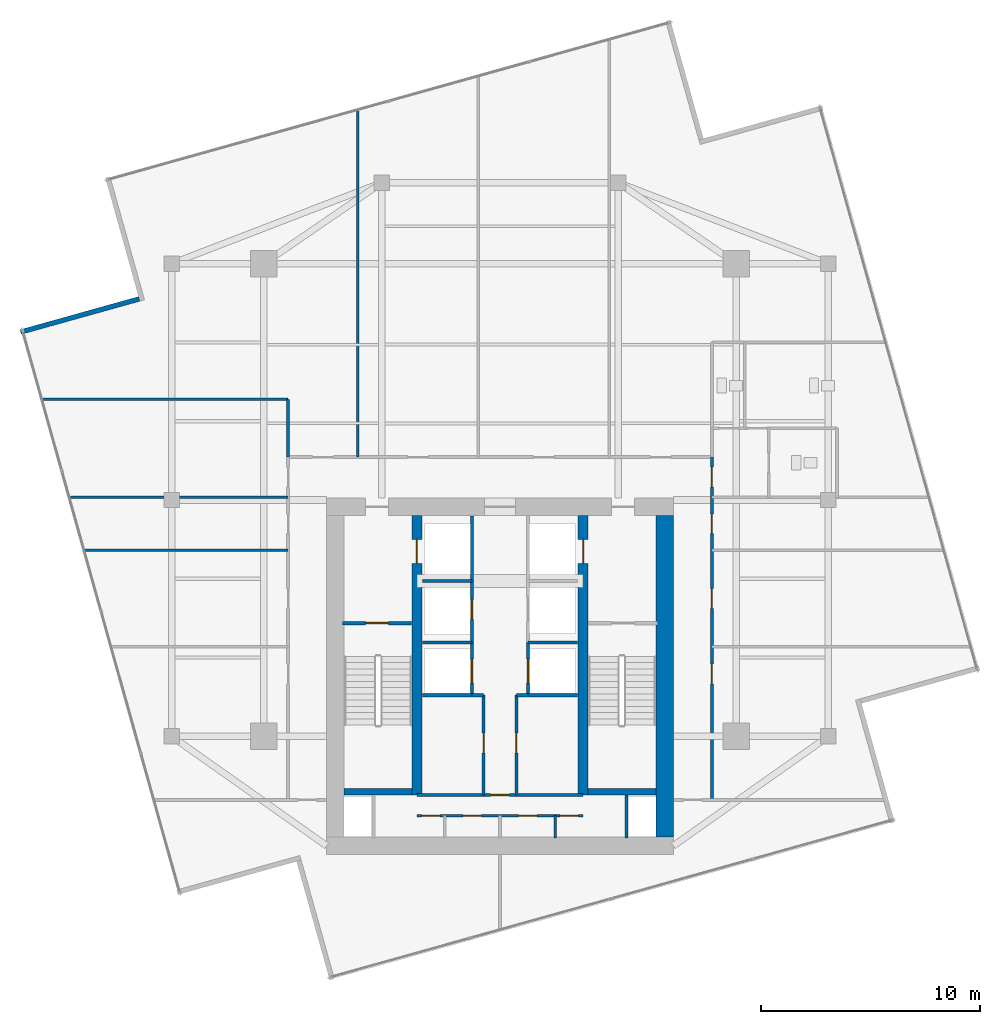
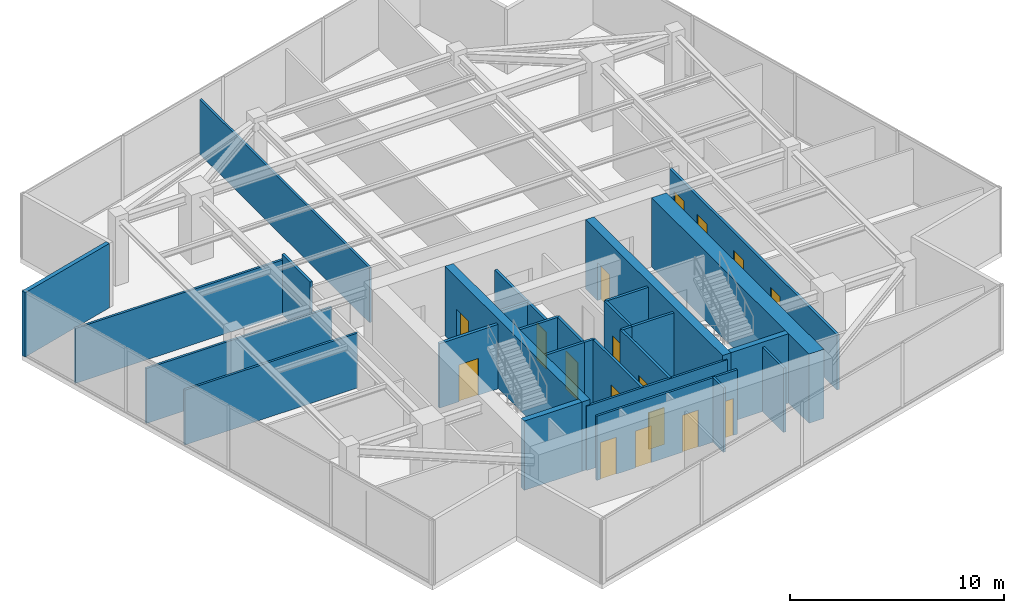
# One storey, part 17 of 21: 29 walls, 17 doors, 17 openings.
"""IFC4 building model written with IfcOpenShell, lengths in metres."""

from ifc_helpers import new_model, si_unit, direction, frame, frame_2d, origin, place, context, subcontext, project, spatial, rectangle, extrude, material, layer, layer_set, type_object, element, fill, save


model = new_model("IFC4")

# Units and contexts
model_context = context("Model", 3, precision=1e-05, world=origin(), true_north=direction((0.0, 1.0)))
body_context = subcontext(model_context, "Body", "Model", "MODEL_VIEW")
ifc_project = project(units=[si_unit("LENGTHUNIT", "METRE"), si_unit("AREAUNIT", "SQUARE_METRE"), si_unit("VOLUMEUNIT", "CUBIC_METRE"), si_unit("PLANEANGLEUNIT", "RADIAN"), si_unit("MASSUNIT", "GRAM", prefix="KILO")], contexts=[model_context])

# Site, building, storey
site_placement = place(None, origin())
site = spatial("IfcSite", under=ifc_project, at=site_placement, CompositionType="ELEMENT")
building_placement = place(site_placement, origin())
building = spatial("IfcBuilding", under=site, at=building_placement, Name="Krantzveldt Concourse Tower", CompositionType="ELEMENT")
storey_placement = place(building_placement, frame((0.0, 0.0, 347.449951171875)))
storey = spatial("IfcBuildingStorey", under=building, at=storey_placement, Name="L85", CompositionType="ELEMENT", Elevation=347.449951171875)

# Wall
ifc_material_1 = material(Name="Anodised aluminium 6063-T6", Category="aluminium")
ifc_layer_1 = layer(ifc_material_1, 0.219970703125, Name="Anodised aluminium 6063-T6", Category="aluminium")
ifc_layer_set_1 = layer_set([ifc_layer_1], Name="Anodised aluminium 6063-T6 (WL-EXT-NOTCH220)")
wall_type_1 = type_object("IfcWallType", Name="WL-EXT-NOTCH220", PredefinedType="ELEMENTEDWALL", material=ifc_layer_set_1)
wall_1_placement = place(storey_placement, frame((19.515625, 35.8896484375, 0.0), z_axis=(0.0, 0.0, 1.0), x_axis=(-0.963050070433, -0.269322412432, 0.0)))
element("IfcWall", 1, at=wall_1_placement, inside=storey, type_object=wall_type_1, Name="EW-L85-NCH03", PredefinedType="ELEMENTEDWALL", context=body_context, shape_type="SweptSolid", body=[
    extrude(rectangle(XDim=5.624755859375, YDim=0.219970703125, at=frame_2d((2.8125, 0.0))), origin(), (0.0, 0.0, 1.0), 3.670166015625),
])

# Wall, opening, door
ifc_material_2 = material(Name="Fire-rated gypsum plasterboard on steel stud", Category="steel")
ifc_layer_2 = layer(ifc_material_2, 0.1201171875, Name="Fire-rated gypsum plasterboard on steel stud", Category="steel")
ifc_layer_set_2 = layer_set([ifc_layer_2], Name="Fire-rated gypsum plasterboard on steel stud (WL-PART-120)")
wall_type_2 = type_object("IfcWallType", Name="WL-PART-120", PredefinedType="PARTITIONING", material=ifc_layer_set_2)
wall_2_placement = place(storey_placement, frame((32.2099609375, 13.219970703125, 0.0), z_axis=(0.0, 0.0, 1.0), x_axis=(1.0, 0.0, 0.0)))
wall_2 = element("IfcWall", 2, at=wall_2_placement, inside=storey, type_object=wall_type_2, Name="WP-L85-CS2H", PredefinedType="PARTITIONING", context=body_context, shape_type="SweptSolid", body=[
    extrude(rectangle(XDim=7.580078125, YDim=0.1201171875, at=frame_2d((3.7900390625, 0.0))), origin(), (0.0, 0.0, 1.0), 3.670166015625),
])
opening_1_placement = place(wall_2_placement, frame((3.364990234375, 0.0, 0.0)))
opening_1 = element("IfcOpeningElement", 3, at=opening_1_placement, cuts=wall_2, Name="Opening D-IN085", PredefinedType="OPENING", context=body_context, shape_type="SweptSolid", body=[
    extrude(rectangle(XDim=0.85009765625, YDim=2.10009765625, at=frame_2d((0.425048828125, 1.050048828125))), frame((0.0, 0.070068359375, 0.0), z_axis=(0.0, -1.0, 0.0), x_axis=(1.0, 0.0, 0.0)), (0.0, 0.0, 1.0), 0.14013671875),
])
ifc_material_3 = material(Name="Hardwood timber", Category="wood")
door_type_1 = type_object("IfcDoorType", Name="DR-INT-850", OperationType="SINGLE_SWING_LEFT", PredefinedType="DOOR", material=ifc_material_3)
door_1_placement = place(opening_1_placement, origin())
door_1 = element("IfcDoor", 4, at=door_1_placement, inside=storey, type_object=door_type_1, Name="DR-L85-LLBS", OperationType="SINGLE_SWING_RIGHT", OverallHeight=2.10009765625, OverallWidth=0.85009765625, PredefinedType="DOOR", context=body_context, shape_type="SweptSolid", body=[
    extrude(rectangle(XDim=0.85009765625, YDim=2.10009765625, at=frame_2d((0.425048828125, 1.050048828125))), frame((0.0, 0.02490234375, 0.0), z_axis=(0.0, -1.0, 0.0), x_axis=(1.0, 0.0, 0.0)), (0.0, 0.0, 1.0), 0.050048828125),
])
fill(opening_1, door_1)

# Wall, openings, doors
wall_3_placement = place(storey_placement, frame((32.2099609375, 12.280029296875, 0.0), z_axis=(0.0, 0.0, 1.0), x_axis=(1.0, 0.0, 0.0)))
wall_3 = element("IfcWall", 5, at=wall_3_placement, inside=storey, type_object=wall_type_2, Name="WP-L85-CSD-HM", PredefinedType="PARTITIONING", context=body_context, shape_type="SweptSolid", body=[
    extrude(rectangle(XDim=7.580078125, YDim=0.1201171875, at=frame_2d((3.7900390625, 0.0))), origin(), (0.0, 0.0, 1.0), 3.670166015625),
])
opening_2_placement = place(wall_3_placement, frame((0.205078125, 0.0, 0.0)))
opening_2 = element("IfcOpeningElement", 6, at=opening_2_placement, cuts=wall_3, Name="Opening D-IN085", PredefinedType="OPENING", context=body_context, shape_type="SweptSolid", body=[
    extrude(rectangle(XDim=0.85009765625, YDim=2.10009765625, at=frame_2d((0.425048828125, 1.050048828125))), frame((0.0, 0.070068359375, 0.0), z_axis=(0.0, -1.0, 0.0), x_axis=(1.0, 0.0, 0.0)), (0.0, 0.0, 1.0), 0.14013671875),
])
opening_3_placement = place(wall_3_placement, frame((2.094970703125, 0.0, 0.0)))
opening_3 = element("IfcOpeningElement", 7, at=opening_3_placement, cuts=wall_3, Name="Opening D-IN085", PredefinedType="OPENING", context=body_context, shape_type="SweptSolid", body=[
    extrude(rectangle(XDim=0.85009765625, YDim=2.10009765625, at=frame_2d((0.425048828125, 1.050048828125))), frame((0.0, 0.070068359375, 0.0), z_axis=(0.0, -1.0, 0.0), x_axis=(1.0, 0.0, 0.0)), (0.0, 0.0, 1.0), 0.14013671875),
])
opening_4_placement = place(wall_3_placement, frame((4.635009765625, 0.0, 0.0)))
opening_4 = element("IfcOpeningElement", 8, at=opening_4_placement, cuts=wall_3, Name="Opening D-IN085", PredefinedType="OPENING", context=body_context, shape_type="SweptSolid", body=[
    extrude(rectangle(XDim=0.85009765625, YDim=2.10009765625, at=frame_2d((0.425048828125, 1.050048828125))), frame((0.0, 0.070068359375, 0.0), z_axis=(0.0, -1.0, 0.0), x_axis=(1.0, 0.0, 0.0)), (0.0, 0.0, 1.0), 0.14013671875),
])
opening_5_placement = place(wall_3_placement, frame((6.52490234375, 0.0, 0.0)))
opening_5 = element("IfcOpeningElement", 9, at=opening_5_placement, cuts=wall_3, Name="Opening D-IN085", PredefinedType="OPENING", context=body_context, shape_type="SweptSolid", body=[
    extrude(rectangle(XDim=0.85009765625, YDim=2.10009765625, at=frame_2d((0.425048828125, 1.050048828125))), frame((0.0, 0.070068359375, 0.0), z_axis=(0.0, -1.0, 0.0), x_axis=(1.0, 0.0, 0.0)), (0.0, 0.0, 1.0), 0.14013671875),
])
door_2_placement = place(opening_2_placement, origin())
door_2 = element("IfcDoor", 10, at=door_2_placement, inside=storey, type_object=door_type_1, Name="DR-L85-CSD1", OperationType="SINGLE_SWING_RIGHT", OverallHeight=2.10009765625, OverallWidth=0.85009765625, PredefinedType="DOOR", context=body_context, shape_type="SweptSolid", body=[
    extrude(rectangle(XDim=0.85009765625, YDim=2.10009765625, at=frame_2d((0.425048828125, 1.050048828125))), frame((0.0, 0.02490234375, 0.0), z_axis=(0.0, -1.0, 0.0), x_axis=(1.0, 0.0, 0.0)), (0.0, 0.0, 1.0), 0.050048828125),
])
fill(opening_2, door_2)
door_3_placement = place(opening_3_placement, origin())
door_3 = element("IfcDoor", 11, at=door_3_placement, inside=storey, type_object=door_type_1, Name="DR-L85-CSD2", OperationType="SINGLE_SWING_RIGHT", OverallHeight=2.10009765625, OverallWidth=0.85009765625, PredefinedType="DOOR", context=body_context, shape_type="SweptSolid", body=[
    extrude(rectangle(XDim=0.85009765625, YDim=2.10009765625, at=frame_2d((0.425048828125, 1.050048828125))), frame((0.0, 0.02490234375, 0.0), z_axis=(0.0, -1.0, 0.0), x_axis=(1.0, 0.0, 0.0)), (0.0, 0.0, 1.0), 0.050048828125),
])
fill(opening_3, door_3)
door_4_placement = place(opening_4_placement, origin())
door_4 = element("IfcDoor", 12, at=door_4_placement, inside=storey, type_object=door_type_1, Name="DR-L85-CSD3", OperationType="SINGLE_SWING_RIGHT", OverallHeight=2.10009765625, OverallWidth=0.85009765625, PredefinedType="DOOR", context=body_context, shape_type="SweptSolid", body=[
    extrude(rectangle(XDim=0.85009765625, YDim=2.10009765625, at=frame_2d((0.425048828125, 1.050048828125))), frame((0.0, 0.02490234375, 0.0), z_axis=(0.0, -1.0, 0.0), x_axis=(1.0, 0.0, 0.0)), (0.0, 0.0, 1.0), 0.050048828125),
])
fill(opening_4, door_4)
door_5_placement = place(opening_5_placement, origin())
door_5 = element("IfcDoor", 13, at=door_5_placement, inside=storey, type_object=door_type_1, Name="DR-L85-CSD4", OperationType="SINGLE_SWING_RIGHT", OverallHeight=2.10009765625, OverallWidth=0.85009765625, PredefinedType="DOOR", context=body_context, shape_type="SweptSolid", body=[
    extrude(rectangle(XDim=0.85009765625, YDim=2.10009765625, at=frame_2d((0.425048828125, 1.050048828125))), frame((0.0, 0.02490234375, 0.0), z_axis=(0.0, -1.0, 0.0), x_axis=(1.0, 0.0, 0.0)), (0.0, 0.0, 1.0), 0.050048828125),
])
fill(opening_5, door_5)

# Walls
wall_4_placement = place(storey_placement, frame((38.530029296875, 11.25, 0.0), z_axis=(0.0, 0.0, 1.0), x_axis=(0.0, 1.0, 0.0)))
element("IfcWall", 14, at=wall_4_placement, inside=storey, type_object=wall_type_2, Name="WP-L85-CSD-V3", PredefinedType="PARTITIONING", context=body_context, shape_type="SweptSolid", body=[
    extrude(rectangle(XDim=1.030029296875, YDim=0.1201171875, at=frame_2d((0.51513671875, 0.0))), origin(), (0.0, 0.0, 1.0), 3.670166015625),
])
wall_5_placement = place(storey_placement, frame((16.330810546875, 26.820068359375, 0.0), z_axis=(0.0, 0.0, 1.0), x_axis=(1.0, 0.0, 0.0)))
element("IfcWall", 15, at=wall_5_placement, inside=storey, type_object=wall_type_2, Name="WP-L85-PNTS", PredefinedType="PARTITIONING", context=body_context, shape_type="SweptSolid", body=[
    extrude(rectangle(XDim=9.9892578125, YDim=0.1201171875, at=frame_2d((4.99462890625, 0.0))), origin(), (0.0, 0.0, 1.0), 3.130126953125),
])
wall_6_placement = place(storey_placement, frame((15.077880859375, 31.300048828125, 0.0), z_axis=(0.0, 0.0, 1.0), x_axis=(1.0, 0.0, 0.0)))
element("IfcWall", 16, at=wall_6_placement, inside=storey, type_object=wall_type_2, Name="WP-L85-PNTN", PredefinedType="PARTITIONING", context=body_context, shape_type="SweptSolid", body=[
    extrude(rectangle(XDim=11.2421875, YDim=0.1201171875, at=frame_2d((5.62109375, 0.0))), origin(), (0.0, 0.0, 1.0), 3.130126953125),
])
wall_7_placement = place(storey_placement, frame((29.5, 28.659912109375, 0.0), z_axis=(0.0, 0.0, 1.0), x_axis=(0.0, 1.0, 0.0)))
element("IfcWall", 17, at=wall_7_placement, inside=storey, type_object=wall_type_2, Name="WP-L85-ND1", PredefinedType="PARTITIONING", context=body_context, shape_type="SweptSolid", body=[
    extrude(rectangle(XDim=15.857666015625, YDim=0.1201171875, at=frame_2d((7.9287109375, 0.0))), origin(), (0.0, 0.0, 1.0), 3.130126953125),
])
wall_8_placement = place(storey_placement, frame((17.007568359375, 24.39990234375, 0.0), z_axis=(0.0, 0.0, 1.0), x_axis=(1.0, 0.0, 0.0)))
element("IfcWall", 18, at=wall_8_placement, inside=storey, type_object=wall_type_2, Name="WP-L85-WD2", PredefinedType="PARTITIONING", context=body_context, shape_type="SweptSolid", body=[
    extrude(rectangle(XDim=9.3125, YDim=0.1201171875, at=frame_2d((4.65625, 0.0))), origin(), (0.0, 0.0, 1.0), 3.130126953125),
])

# Wall, openings, doors
ifc_layer_3 = layer(ifc_material_2, 0.139892578125, Name="Fire-rated gypsum plasterboard on steel stud", Category="steel")
ifc_layer_set_3 = layer_set([ifc_layer_3], Name="Fire-rated gypsum plasterboard on steel stud (WL-PART-140)")
wall_type_3 = type_object("IfcWallType", Name="WL-PART-140", PredefinedType="PARTITIONING", material=ifc_layer_set_3)
wall_9_placement = place(storey_placement, frame((45.679931640625, 13.0, 0.0), z_axis=(0.0, 0.0, 1.0), x_axis=(0.0, 1.0, 0.0)))
wall_9 = element("IfcWall", 19, at=wall_9_placement, inside=storey, type_object=wall_type_3, Name="WP-L85-CEAST", PredefinedType="PARTITIONING", context=body_context, shape_type="SweptSolid", body=[
    extrude(rectangle(XDim=15.659912109375, YDim=0.139892578125, at=frame_2d((7.830078125, 0.0))), origin(), (0.0, 0.0, 1.0), 3.130126953125),
])
opening_6_placement = place(wall_9_placement, frame((14.300048828125, 0.0, 0.0)))
opening_6 = element("IfcOpeningElement", 20, at=opening_6_placement, cuts=wall_9, Name="Opening D-IN090", PredefinedType="OPENING", context=body_context, shape_type="SweptSolid", body=[
    extrude(rectangle(XDim=0.89990234375, YDim=2.10009765625, at=frame_2d((0.449951171875, 1.050048828125))), frame((0.0, 0.080078125, 0.0), z_axis=(0.0, -1.0, 0.0), x_axis=(1.0, 0.0, 0.0)), (0.0, 0.0, 1.0), 0.159912109375),
])
opening_7_placement = place(wall_9_placement, frame((5.300048828125, 0.0, 0.0)))
opening_7 = element("IfcOpeningElement", 21, at=opening_7_placement, cuts=wall_9, Name="Opening D-IN090", PredefinedType="OPENING", context=body_context, shape_type="SweptSolid", body=[
    extrude(rectangle(XDim=0.89990234375, YDim=2.10009765625, at=frame_2d((0.449951171875, 1.050048828125))), frame((0.0, 0.080078125, 0.0), z_axis=(0.0, -1.0, 0.0), x_axis=(1.0, 0.0, 0.0)), (0.0, 0.0, 1.0), 0.159912109375),
])
opening_8_placement = place(wall_9_placement, frame((8.75, 0.0, 0.0)))
opening_8 = element("IfcOpeningElement", 22, at=opening_8_placement, cuts=wall_9, Name="Opening D-IN090", PredefinedType="OPENING", context=body_context, shape_type="SweptSolid", body=[
    extrude(rectangle(XDim=0.89990234375, YDim=2.10009765625, at=frame_2d((0.449951171875, 1.050048828125))), frame((0.0, 0.080078125, 0.0), z_axis=(0.0, -1.0, 0.0), x_axis=(1.0, 0.0, 0.0)), (0.0, 0.0, 1.0), 0.159912109375),
])
opening_9_placement = place(wall_9_placement, frame((12.159912109375, 0.0, 0.0)))
opening_9 = element("IfcOpeningElement", 23, at=opening_9_placement, cuts=wall_9, Name="Opening D-IN090", PredefinedType="OPENING", context=body_context, shape_type="SweptSolid", body=[
    extrude(rectangle(XDim=0.89990234375, YDim=2.10009765625, at=frame_2d((0.449951171875, 1.050048828125))), frame((0.0, 0.080078125, 0.0), z_axis=(0.0, -1.0, 0.0), x_axis=(1.0, 0.0, 0.0)), (0.0, 0.0, 1.0), 0.159912109375),
])
door_type_2 = type_object("IfcDoorType", Name="DR-INT-900", OperationType="SINGLE_SWING_LEFT", PredefinedType="DOOR", material=ifc_material_3)
door_6_placement = place(opening_6_placement, origin())
door_6 = element("IfcDoor", 24, at=door_6_placement, inside=storey, type_object=door_type_2, Name="DR-L85-WCV", OperationType="SINGLE_SWING_RIGHT", OverallHeight=2.10009765625, OverallWidth=0.89990234375, PredefinedType="DOOR", context=body_context, shape_type="SweptSolid", body=[
    extrude(rectangle(XDim=0.89990234375, YDim=2.10009765625, at=frame_2d((0.449951171875, 1.050048828125))), frame((0.0, 0.02490234375, 0.0), z_axis=(0.0, -1.0, 0.0), x_axis=(1.0, 0.0, 0.0)), (0.0, 0.0, 1.0), 0.050048828125),
])
fill(opening_6, door_6)
door_7_placement = place(opening_7_placement, origin())
door_7 = element("IfcDoor", 25, at=door_7_placement, inside=storey, type_object=door_type_2, Name="DR-L85-ER1", OperationType="SINGLE_SWING_LEFT", OverallHeight=2.10009765625, OverallWidth=0.89990234375, PredefinedType="DOOR", context=body_context, shape_type="SweptSolid", body=[
    extrude(rectangle(XDim=0.89990234375, YDim=2.10009765625, at=frame_2d((0.449951171875, 1.050048828125))), frame((0.0, 0.02490234375, 0.0), z_axis=(0.0, -1.0, 0.0), x_axis=(1.0, 0.0, 0.0)), (0.0, 0.0, 1.0), 0.050048828125),
])
fill(opening_7, door_7)
door_8_placement = place(opening_8_placement, origin())
door_8 = element("IfcDoor", 26, at=door_8_placement, inside=storey, type_object=door_type_2, Name="DR-L85-ER2", OperationType="SINGLE_SWING_LEFT", OverallHeight=2.10009765625, OverallWidth=0.89990234375, PredefinedType="DOOR", context=body_context, shape_type="SweptSolid", body=[
    extrude(rectangle(XDim=0.89990234375, YDim=2.10009765625, at=frame_2d((0.449951171875, 1.050048828125))), frame((0.0, 0.02490234375, 0.0), z_axis=(0.0, -1.0, 0.0), x_axis=(1.0, 0.0, 0.0)), (0.0, 0.0, 1.0), 0.050048828125),
])
fill(opening_8, door_8)
door_9_placement = place(opening_9_placement, origin())
door_9 = element("IfcDoor", 27, at=door_9_placement, inside=storey, type_object=door_type_2, Name="DR-L85-ER3", OperationType="SINGLE_SWING_LEFT", OverallHeight=2.10009765625, OverallWidth=0.89990234375, PredefinedType="DOOR", context=body_context, shape_type="SweptSolid", body=[
    extrude(rectangle(XDim=0.89990234375, YDim=2.10009765625, at=frame_2d((0.449951171875, 1.050048828125))), frame((0.0, 0.02490234375, 0.0), z_axis=(0.0, -1.0, 0.0), x_axis=(1.0, 0.0, 0.0)), (0.0, 0.0, 1.0), 0.050048828125),
])
fill(opening_9, door_9)

# Wall
wall_10_placement = place(storey_placement, frame((26.320068359375, 28.659912109375, 0.0), z_axis=(0.0, 0.0, 1.0), x_axis=(0.0, 1.0, 0.0)))
element("IfcWall", 28, at=wall_10_placement, inside=storey, type_object=wall_type_3, Name="WP-L85-NWL", PredefinedType="PARTITIONING", context=body_context, shape_type="SweptSolid", body=[
    extrude(rectangle(XDim=2.64013671875, YDim=0.139892578125, at=frame_2d((1.320068359375, 0.0))), origin(), (0.0, 0.0, 1.0), 3.429931640625),
])

# Wall, opening, door
ifc_layer_4 = layer(ifc_material_2, 0.139892578125, Name="Fire-rated gypsum plasterboard on steel stud", Category="steel")
ifc_layer_set_4 = layer_set([ifc_layer_4], Name="Fire-rated gypsum plasterboard on steel stud (WL-PART-FR140)")
wall_type_4 = type_object("IfcWallType", Name="WL-PART-FR140", PredefinedType="PARTITIONING", material=ifc_layer_set_4)
wall_11_placement = place(storey_placement, frame((34.719970703125, 20.199951171875, 0.0), z_axis=(0.0, 0.0, 1.0), x_axis=(0.0, 1.0, 0.0)))
wall_11 = element("IfcWall", 29, at=wall_11_placement, inside=storey, type_object=wall_type_4, Name="WP-L85-SHNW", PredefinedType="PARTITIONING", context=body_context, shape_type="SweptSolid", body=[
    extrude(rectangle(XDim=5.780029296875, YDim=0.139892578125, at=frame_2d((2.89013671875, 0.0))), origin(), (0.0, 0.0, 1.0), 2.820068359375),
])
opening_10_placement = place(wall_11_placement, frame((1.050048828125, 0.0, 0.0)))
opening_10 = element("IfcOpeningElement", 30, at=opening_10_placement, cuts=wall_11, Name="Opening D-FD090", PredefinedType="OPENING", context=body_context, shape_type="SweptSolid", body=[
    extrude(rectangle(XDim=0.89990234375, YDim=2.10009765625, at=frame_2d((0.449951171875, 1.050048828125))), frame((0.0, 0.080078125, 0.0), z_axis=(0.0, -1.0, 0.0), x_axis=(1.0, 0.0, 0.0)), (0.0, 0.0, 1.0), 0.159912109375),
])
door_type_3 = type_object("IfcDoorType", Name="DR-FD60-900", OperationType="SINGLE_SWING_LEFT", PredefinedType="DOOR", material=ifc_material_3)
door_10_placement = place(opening_10_placement, origin())
door_10 = element("IfcDoor", 31, at=door_10_placement, inside=storey, type_object=door_type_3, Name="Electrical Riser Access Door L85", OperationType="SINGLE_SWING_LEFT", OverallHeight=2.10009765625, OverallWidth=0.89990234375, PredefinedType="DOOR", context=body_context, shape_type="SweptSolid", body=[
    extrude(rectangle(XDim=0.89990234375, YDim=2.10009765625, at=frame_2d((0.449951171875, 1.050048828125))), frame((0.0, 0.02490234375, 0.0), z_axis=(0.0, -1.0, 0.0), x_axis=(1.0, 0.0, 0.0)), (0.0, 0.0, 1.0), 0.050048828125),
])
fill(opening_10, door_10)

# Wall
wall_12_placement = place(storey_placement, frame((32.449951171875, 23.0, 0.0), z_axis=(0.0, 0.0, 1.0), x_axis=(1.0, 0.0, 0.0)))
element("IfcWall", 32, at=wall_12_placement, inside=storey, type_object=wall_type_4, Name="WP-L85-RISH", PredefinedType="PARTITIONING", context=body_context, shape_type="SweptSolid", body=[
    extrude(rectangle(XDim=2.27001953125, YDim=0.139892578125, at=frame_2d((1.135009765625, 0.0))), origin(), (0.0, 0.0, 1.0), 2.820068359375),
])

# Wall, opening, door
wall_13_placement = place(storey_placement, frame((34.719970703125, 17.780029296875, 0.0), z_axis=(0.0, 0.0, 1.0), x_axis=(0.0, 1.0, 0.0)))
wall_13 = element("IfcWall", 33, at=wall_13_placement, inside=storey, type_object=wall_type_4, Name="WP-L85-SHNW2", PredefinedType="PARTITIONING", context=body_context, shape_type="SweptSolid", body=[
    extrude(rectangle(XDim=2.419921875, YDim=0.139892578125, at=frame_2d((1.2099609375, 0.0))), origin(), (0.0, 0.0, 1.0), 3.670166015625),
])
opening_11_placement = place(wall_13_placement, frame((0.550048828125, 0.0, 0.0)))
opening_11 = element("IfcOpeningElement", 34, at=opening_11_placement, cuts=wall_13, Name="Opening LD", PredefinedType="OPENING", context=body_context, shape_type="SweptSolid", body=[
    extrude(rectangle(XDim=1.10009765625, YDim=2.14990234375, at=frame_2d((0.550048828125, 1.074951171875))), frame((0.0, 0.080078125, 0.0), z_axis=(0.0, -1.0, 0.0), x_axis=(1.0, 0.0, 0.0)), (0.0, 0.0, 1.0), 0.159912109375),
])
ifc_material_4 = material(Name="Stainless steel 316L", Category="steel")
door_type_4 = type_object("IfcDoorType", Name="DR-SLIDE-LD1100", OperationType="DOUBLE_DOOR_SLIDING", PredefinedType="DOOR", material=ifc_material_4)
door_11_placement = place(opening_11_placement, origin())
door_11 = element("IfcDoor", 35, at=door_11_placement, inside=storey, type_object=door_type_4, Name="LD-L85-PH1", OperationType="DOUBLE_DOOR_SLIDING", OverallHeight=2.14990234375, OverallWidth=1.10009765625, PredefinedType="DOOR", context=body_context, shape_type="SweptSolid", body=[
    extrude(rectangle(XDim=1.10009765625, YDim=2.14990234375, at=frame_2d((0.550048828125, 1.074951171875))), frame((0.0, 0.02490234375, 0.0), z_axis=(0.0, -1.0, 0.0), x_axis=(1.0, 0.0, 0.0)), (0.0, 0.0, 1.0), 0.050048828125),
])
fill(opening_11, door_11)

wall_14_placement = place(storey_placement, frame((37.280029296875, 17.780029296875, 0.0), z_axis=(0.0, 0.0, 1.0), x_axis=(0.0, 1.0, 0.0)))
wall_14 = element("IfcWall", 36, at=wall_14_placement, inside=storey, type_object=wall_type_4, Name="WP-L85-SHNE2", PredefinedType="PARTITIONING", context=body_context, shape_type="SweptSolid", body=[
    extrude(rectangle(XDim=2.419921875, YDim=0.139892578125, at=frame_2d((1.2099609375, 0.0))), origin(), (0.0, 0.0, 1.0), 3.670166015625),
])
opening_12_placement = place(wall_14_placement, frame((0.550048828125, 0.0, 0.0)))
opening_12 = element("IfcOpeningElement", 37, at=opening_12_placement, cuts=wall_14, Name="Opening LD", PredefinedType="OPENING", context=body_context, shape_type="SweptSolid", body=[
    extrude(rectangle(XDim=1.10009765625, YDim=2.14990234375, at=frame_2d((0.550048828125, 1.074951171875))), frame((0.0, 0.080078125, 0.0), z_axis=(0.0, -1.0, 0.0), x_axis=(1.0, 0.0, 0.0)), (0.0, 0.0, 1.0), 0.159912109375),
])
door_12_placement = place(opening_12_placement, origin())
door_12 = element("IfcDoor", 38, at=door_12_placement, inside=storey, type_object=door_type_4, Name="LD-L85-PH2", OperationType="DOUBLE_DOOR_SLIDING", OverallHeight=2.14990234375, OverallWidth=1.10009765625, PredefinedType="DOOR", context=body_context, shape_type="SweptSolid", body=[
    extrude(rectangle(XDim=1.10009765625, YDim=2.14990234375, at=frame_2d((0.550048828125, 1.074951171875))), frame((0.0, 0.02490234375, 0.0), z_axis=(0.0, -1.0, 0.0), x_axis=(1.0, 0.0, 0.0)), (0.0, 0.0, 1.0), 0.050048828125),
])
fill(opening_12, door_12)

# Walls
for number, where, z_axis, x_axis, name in (
    (39, (32.449951171875, 17.780029296875, 0.0), (0.0, 0.0, 1.0), (1.0, 0.0, 0.0), "WP-L85-DIVW2"),
    (40, (32.449951171875, 20.179931640625, 0.0), (0.0, 0.0, 1.0), (1.0, 0.0, 0.0), "WP-L85-DIVW3"),
    (41, (37.280029296875, 17.780029296875, 0.0), (0.0, 0.0, 1.0), (1.0, 0.0, 0.0), "WP-L85-DIVE2"),
    (42, (37.280029296875, 20.179931640625, 0.0), (0.0, 0.0, 1.0), (1.0, 0.0, 0.0), "WP-L85-DIVE3"),
):
    element("IfcWall", number, at=place(storey_placement, frame(where, z_axis=z_axis, x_axis=x_axis)), inside=storey, type_object=wall_type_4, Name=name, PredefinedType="PARTITIONING", context=body_context, shape_type="SweptSolid", body=[
        extrude(rectangle(XDim=2.27001953125, YDim=0.139892578125, at=frame_2d((1.135009765625, 0.0))), origin(), (0.0, 0.0, 1.0), 3.670166015625),
    ])

# Wall, opening, door
wall_15_placement = place(storey_placement, frame((35.25, 13.219970703125, 0.0), z_axis=(0.0, 0.0, 1.0), x_axis=(0.0, 1.0, 0.0)))
wall_15 = element("IfcWall", 43, at=wall_15_placement, inside=storey, type_object=wall_type_4, Name="WP-L85-RECW", PredefinedType="PARTITIONING", context=body_context, shape_type="SweptSolid", body=[
    extrude(rectangle(XDim=4.56005859375, YDim=0.139892578125, at=frame_2d((2.280029296875, 0.0))), origin(), (0.0, 0.0, 1.0), 3.670166015625),
])
opening_13_placement = place(wall_15_placement, frame((1.929931640625, 0.0, 0.0)))
opening_13 = element("IfcOpeningElement", 44, at=opening_13_placement, cuts=wall_15, Name="Opening D-FD090", PredefinedType="OPENING", context=body_context, shape_type="SweptSolid", body=[
    extrude(rectangle(XDim=0.89990234375, YDim=2.10009765625, at=frame_2d((0.449951171875, 1.050048828125))), frame((0.0, 0.080078125, 0.0), z_axis=(0.0, -1.0, 0.0), x_axis=(1.0, 0.0, 0.0)), (0.0, 0.0, 1.0), 0.159912109375),
])
door_13_placement = place(opening_13_placement, origin())
door_13 = element("IfcDoor", 45, at=door_13_placement, inside=storey, type_object=door_type_3, Name="DR-L85-RECW", OperationType="SINGLE_SWING_LEFT", OverallHeight=2.10009765625, OverallWidth=0.89990234375, PredefinedType="DOOR", context=body_context, shape_type="SweptSolid", body=[
    extrude(rectangle(XDim=0.89990234375, YDim=2.10009765625, at=frame_2d((0.449951171875, 1.050048828125))), frame((0.0, 0.02490234375, 0.0), z_axis=(0.0, -1.0, 0.0), x_axis=(1.0, 0.0, 0.0)), (0.0, 0.0, 1.0), 0.050048828125),
])
fill(opening_13, door_13)

# Wall
wall_16_placement = place(storey_placement, frame((34.719970703125, 17.780029296875, 0.0), z_axis=(0.0, 0.0, 1.0), x_axis=(1.0, 0.0, 0.0)))
element("IfcWall", 46, at=wall_16_placement, inside=storey, type_object=wall_type_4, Name="WP-L85-RECWN", PredefinedType="PARTITIONING", context=body_context, shape_type="SweptSolid", body=[
    extrude(rectangle(XDim=0.530029296875, YDim=0.139892578125, at=frame_2d((0.26513671875, 0.0))), origin(), (0.0, 0.0, 1.0), 3.670166015625),
])

# Wall, opening, door
wall_17_placement = place(storey_placement, frame((36.75, 13.219970703125, 0.0), z_axis=(0.0, 0.0, 1.0), x_axis=(0.0, 1.0, 0.0)))
wall_17 = element("IfcWall", 47, at=wall_17_placement, inside=storey, type_object=wall_type_4, Name="WP-L85-RECE", PredefinedType="PARTITIONING", context=body_context, shape_type="SweptSolid", body=[
    extrude(rectangle(XDim=4.56005859375, YDim=0.139892578125, at=frame_2d((2.280029296875, 0.0))), origin(), (0.0, 0.0, 1.0), 3.670166015625),
])
opening_14_placement = place(wall_17_placement, frame((1.929931640625, 0.0, 0.0)))
opening_14 = element("IfcOpeningElement", 48, at=opening_14_placement, cuts=wall_17, Name="Opening D-FD090", PredefinedType="OPENING", context=body_context, shape_type="SweptSolid", body=[
    extrude(rectangle(XDim=0.89990234375, YDim=2.10009765625, at=frame_2d((0.449951171875, 1.050048828125))), frame((0.0, 0.080078125, 0.0), z_axis=(0.0, -1.0, 0.0), x_axis=(1.0, 0.0, 0.0)), (0.0, 0.0, 1.0), 0.159912109375),
])
door_14_placement = place(opening_14_placement, origin())
door_14 = element("IfcDoor", 49, at=door_14_placement, inside=storey, type_object=door_type_3, Name="DR-L85-RECE", OperationType="SINGLE_SWING_RIGHT", OverallHeight=2.10009765625, OverallWidth=0.89990234375, PredefinedType="DOOR", context=body_context, shape_type="SweptSolid", body=[
    extrude(rectangle(XDim=0.89990234375, YDim=2.10009765625, at=frame_2d((0.449951171875, 1.050048828125))), frame((0.0, 0.02490234375, 0.0), z_axis=(0.0, -1.0, 0.0), x_axis=(1.0, 0.0, 0.0)), (0.0, 0.0, 1.0), 0.050048828125),
])
fill(opening_14, door_14)

# Walls
wall_18_placement = place(storey_placement, frame((36.75, 17.780029296875, 0.0), z_axis=(0.0, 0.0, 1.0), x_axis=(1.0, 0.0, 0.0)))
element("IfcWall", 50, at=wall_18_placement, inside=storey, type_object=wall_type_4, Name="WP-L85-RECEN", PredefinedType="PARTITIONING", context=body_context, shape_type="SweptSolid", body=[
    extrude(rectangle(XDim=0.530029296875, YDim=0.139892578125, at=frame_2d((0.26513671875, 0.0))), origin(), (0.0, 0.0, 1.0), 3.670166015625),
])
wall_19_placement = place(storey_placement, frame((41.780029296875, 11.25, 0.0), z_axis=(0.0, 0.0, 1.0), x_axis=(0.0, 1.0, 0.0)))
element("IfcWall", 51, at=wall_19_placement, inside=storey, type_object=wall_type_4, Name="WP-L85-RSE", PredefinedType="PARTITIONING", context=body_context, shape_type="SweptSolid", body=[
    extrude(rectangle(XDim=1.969970703125, YDim=0.1201171875, at=frame_2d((0.98486328125, 0.0))), origin(), (0.0, 0.0, 1.0), 3.670166015625),
])

# Wall, opening, door
ifc_layer_5 = layer(ifc_material_2, 0.159912109375, Name="Fire-rated gypsum plasterboard on steel stud", Category="steel")
ifc_layer_set_5 = layer_set([ifc_layer_5], Name="Fire-rated gypsum plasterboard on steel stud (WL-PART-FR160)")
wall_type_5 = type_object("IfcWallType", Name="WL-PART-FR160", PredefinedType="PARTITIONING", material=ifc_layer_set_5)
wall_20_placement = place(storey_placement, frame((28.800048828125, 21.080078125, 0.0), z_axis=(0.0, 0.0, 1.0), x_axis=(1.0, 0.0, 0.0)))
wall_20 = element("IfcWall", 52, at=wall_20_placement, inside=storey, type_object=wall_type_5, Name="WP-L85-ST1", PredefinedType="PARTITIONING", context=body_context, shape_type="SweptSolid", body=[
    extrude(rectangle(XDim=3.159912109375, YDim=0.159912109375, at=frame_2d((1.580078125, 0.0))), origin(), (0.0, 0.0, 1.0), 3.670166015625),
])
opening_15_placement = place(wall_20_placement, frame((1.054931640625, 0.0, 0.0)))
opening_15 = element("IfcOpeningElement", 53, at=opening_15_placement, cuts=wall_20, Name="Opening D-FD105", PredefinedType="OPENING", context=body_context, shape_type="SweptSolid", body=[
    extrude(rectangle(XDim=1.050048828125, YDim=2.10009765625, at=frame_2d((0.52490234375, 1.050048828125))), frame((0.0, 0.08984375, 0.0), z_axis=(0.0, -1.0, 0.0), x_axis=(1.0, 0.0, 0.0)), (0.0, 0.0, 1.0), 0.179931640625),
])
ifc_material_5 = material(Name="Galvanised steel", Category="steel")
door_type_5 = type_object("IfcDoorType", Name="DR-FD120-1050", OperationType="SINGLE_SWING_LEFT", PredefinedType="DOOR", material=ifc_material_5)
door_15_placement = place(opening_15_placement, origin())
door_15 = element("IfcDoor", 54, at=door_15_placement, inside=storey, type_object=door_type_5, Name="DR-L85-ST1", OperationType="SINGLE_SWING_RIGHT", OverallHeight=2.10009765625, OverallWidth=1.050048828125, PredefinedType="DOOR", context=body_context, shape_type="SweptSolid", body=[
    extrude(rectangle(XDim=1.050048828125, YDim=2.10009765625, at=frame_2d((0.52490234375, 1.050048828125))), frame((0.0, 0.02490234375, 0.0), z_axis=(0.0, -1.0, 0.0), x_axis=(1.0, 0.0, 0.0)), (0.0, 0.0, 1.0), 0.050048828125),
])
fill(opening_15, door_15)

# Walls
ifc_material_6 = material(Name="Concrete C50/60", Category="concrete")
ifc_layer_6 = layer(ifc_material_6, 0.300048828125, Name="Concrete C50/60", Category="concrete")
ifc_layer_set_6 = layer_set([ifc_layer_6], Name="Concrete C50/60 (WL-SHEAR-300)")
wall_type_6 = type_object("IfcWallType", Name="WL-SHEAR-300", PredefinedType="SHEAR", material=ifc_layer_set_6)
for number, where, z_axis, x_axis, name in (
    (55, (28.8798828125, 13.3701171875, 0.0), (0.0, 0.0, 1.0), (1.0, 0.0, 0.0), "CW-L85-ST1S"),
    (56, (40.02001953125, 13.3701171875, 0.0), (0.0, 0.0, 1.0), (1.0, 0.0, 0.0), "CW-L85-ST2S"),
):
    element("IfcWall", number, at=place(storey_placement, frame(where, z_axis=z_axis, x_axis=x_axis)), inside=storey, type_object=wall_type_6, Name=name, PredefinedType="SHEAR", context=body_context, shape_type="SweptSolid", body=[
        extrude(rectangle(XDim=3.10009765625, YDim=0.300048828125, at=frame_2d((1.550048828125, 0.0))), origin(), (0.0, 0.0, 1.0), 3.949951171875),
    ])

# Wall, opening, door
ifc_layer_7 = layer(ifc_material_6, 0.449951171875, Name="Concrete C50/60", Category="concrete")
ifc_layer_set_7 = layer_set([ifc_layer_7], Name="Concrete C50/60 (WL-SHEAR-450)")
wall_type_7 = type_object("IfcWallType", Name="WL-SHEAR-450", PredefinedType="SHEAR", material=ifc_layer_set_7)
wall_21_placement = place(storey_placement, frame((32.205078125, 13.219970703125, 0.0), z_axis=(0.0, 0.0, 1.0), x_axis=(0.0, 1.0, 0.0)))
wall_21 = element("IfcWall", 57, at=wall_21_placement, inside=storey, type_object=wall_type_7, Name="CW-L85-IW", PredefinedType="SHEAR", context=body_context, shape_type="SweptSolid", body=[
    extrude(rectangle(XDim=12.780029296875, YDim=0.449951171875, at=frame_2d((6.39013671875, 0.0))), origin(), (0.0, 0.0, 1.0), 3.949951171875),
])
opening_16_placement = place(wall_21_placement, frame((10.580078125, 0.0, 0.0)))
opening_16 = element("IfcOpeningElement", 58, at=opening_16_placement, cuts=wall_21, Name="Opening LD", PredefinedType="OPENING", context=body_context, shape_type="SweptSolid", body=[
    extrude(rectangle(XDim=1.10009765625, YDim=2.14990234375, at=frame_2d((0.550048828125, 1.074951171875))), frame((0.0, 0.23486328125, 0.0), z_axis=(0.0, -1.0, 0.0), x_axis=(1.0, 0.0, 0.0)), (0.0, 0.0, 1.0), 0.469970703125),
])
door_16_placement = place(opening_16_placement, origin())
door_16 = element("IfcDoor", 59, at=door_16_placement, inside=storey, type_object=door_type_4, Name="LD-L85-FL1", OperationType="DOUBLE_DOOR_SLIDING", OverallHeight=2.14990234375, OverallWidth=1.10009765625, PredefinedType="DOOR", context=body_context, shape_type="SweptSolid", body=[
    extrude(rectangle(XDim=1.10009765625, YDim=2.14990234375, at=frame_2d((0.550048828125, 1.074951171875))), frame((0.0, 0.02490234375, 0.0), z_axis=(0.0, -1.0, 0.0), x_axis=(1.0, 0.0, 0.0)), (0.0, 0.0, 1.0), 0.050048828125),
])
fill(opening_16, door_16)

wall_22_placement = place(storey_placement, frame((39.794921875, 13.219970703125, 0.0), z_axis=(0.0, 0.0, 1.0), x_axis=(0.0, 1.0, 0.0)))
wall_22 = element("IfcWall", 60, at=wall_22_placement, inside=storey, type_object=wall_type_7, Name="CW-L85-IE", PredefinedType="SHEAR", context=body_context, shape_type="SweptSolid", body=[
    extrude(rectangle(XDim=12.780029296875, YDim=0.449951171875, at=frame_2d((6.39013671875, 0.0))), origin(), (0.0, 0.0, 1.0), 3.949951171875),
])
opening_17_placement = place(wall_22_placement, frame((10.580078125, 0.0, 0.0)))
opening_17 = element("IfcOpeningElement", 61, at=opening_17_placement, cuts=wall_22, Name="Opening LD", PredefinedType="OPENING", context=body_context, shape_type="SweptSolid", body=[
    extrude(rectangle(XDim=1.10009765625, YDim=2.14990234375, at=frame_2d((0.550048828125, 1.074951171875))), frame((0.0, 0.23486328125, 0.0), z_axis=(0.0, -1.0, 0.0), x_axis=(1.0, 0.0, 0.0)), (0.0, 0.0, 1.0), 0.469970703125),
])
door_17_placement = place(opening_17_placement, origin())
door_17 = element("IfcDoor", 62, at=door_17_placement, inside=storey, type_object=door_type_4, Name="LD-L85-FL2", OperationType="DOUBLE_DOOR_SLIDING", OverallHeight=2.14990234375, OverallWidth=1.10009765625, PredefinedType="DOOR", context=body_context, shape_type="SweptSolid", body=[
    extrude(rectangle(XDim=1.10009765625, YDim=2.14990234375, at=frame_2d((0.550048828125, 1.074951171875))), frame((0.0, 0.02490234375, 0.0), z_axis=(0.0, -1.0, 0.0), x_axis=(1.0, 0.0, 0.0)), (0.0, 0.0, 1.0), 0.050048828125),
])
fill(opening_17, door_17)

# Wall
ifc_material_7 = material(Name="Concrete C60/75", Category="concrete")
ifc_layer_8 = layer(ifc_material_7, 0.800048828125, Name="Concrete C60/75", Category="concrete")
ifc_layer_set_8 = layer_set([ifc_layer_8], Name="Concrete C60/75 (WL-SHEAR-800)")
wall_type_8 = type_object("IfcWallType", Name="WL-SHEAR-800", PredefinedType="SHEAR", material=ifc_layer_set_8)
wall_23_placement = place(storey_placement, frame((43.52001953125, 11.300048828125, 0.0), z_axis=(0.0, 0.0, 1.0), x_axis=(0.0, 1.0, 0.0)))
element("IfcWall", 63, at=wall_23_placement, inside=storey, type_object=wall_type_8, Name="CW-L85-E", PredefinedType="SHEAR", context=body_context, shape_type="SweptSolid", body=[
    extrude(rectangle(XDim=14.699951171875, YDim=0.800048828125, at=frame_2d((7.35009765625, 0.0))), origin(), (0.0, 0.0, 1.0), 3.949951171875),
])

save(model, "model.ifc")
